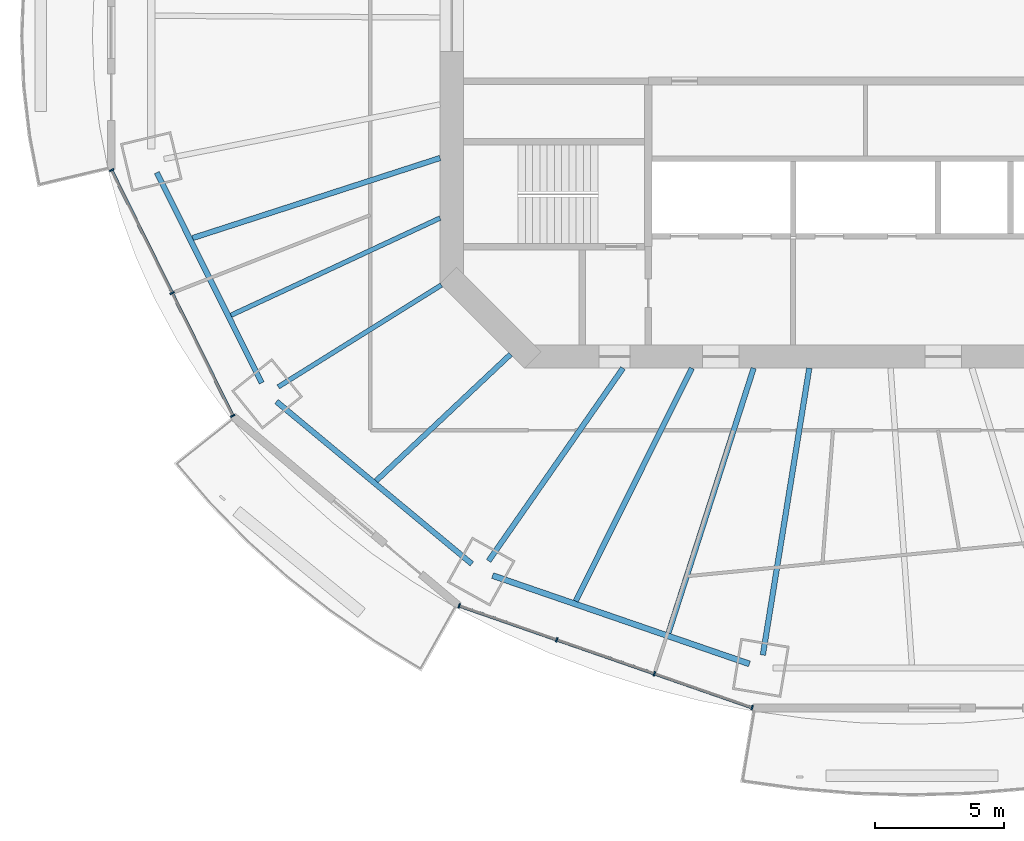
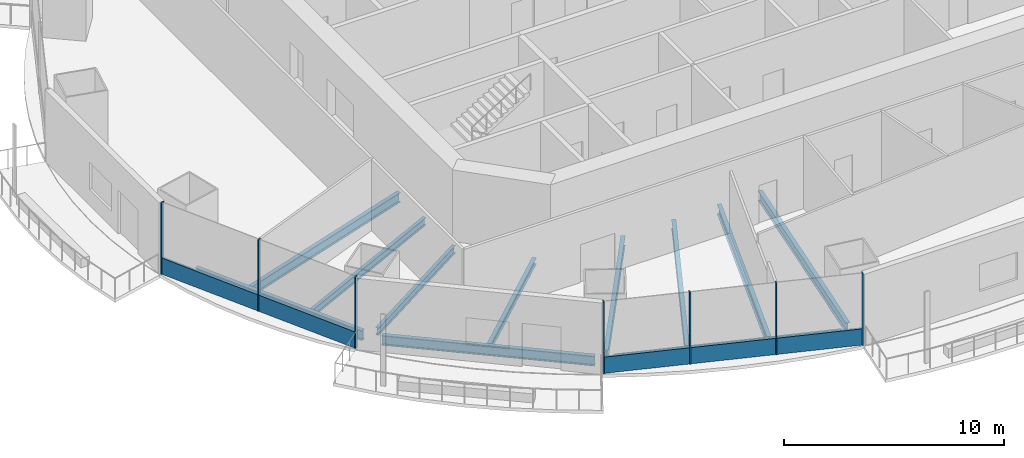
# One storey, part 2 of 21: 11 beams, 9 members, 2 elements without a shape of their own.
"""IFC4 building model written with IfcOpenShell, lengths in metres."""

from ifc_helpers import new_model, si_unit, direction, frame, origin, origin_2d, place, context, subcontext, project, spatial, rectangle, i_section, extrude, material, material_profile, profile_set, type_object, element, aggregate, save


model = new_model("IFC4")

# Units and contexts
model_context = context("Model", 3, precision=1e-05, world=origin(), true_north=direction((0.0, 1.0)))
body_context = subcontext(model_context, "Body", "Model", "MODEL_VIEW")
ifc_project = project(units=[si_unit("LENGTHUNIT", "METRE"), si_unit("AREAUNIT", "SQUARE_METRE"), si_unit("VOLUMEUNIT", "CUBIC_METRE"), si_unit("PLANEANGLEUNIT", "RADIAN"), si_unit("MASSUNIT", "GRAM", prefix="KILO")], contexts=[model_context])

# Site, building, storey
site_placement = place(None, origin())
site = spatial("IfcSite", under=ifc_project, at=site_placement, CompositionType="ELEMENT")
building_placement = place(site_placement, origin())
building = spatial("IfcBuilding", under=site, at=building_placement, Name="Marenthal Gate Tower", CompositionType="ELEMENT")
storey_placement = place(building_placement, frame((0.0, 0.0, 202.550048828125)))
storey = spatial("IfcBuildingStorey", under=building, at=storey_placement, Name="L44", CompositionType="ELEMENT", Elevation=202.550048828125)

# Curtain wall, members
ifc_material_1 = material(Name="Aluminium and glass", Category="aluminium")
curtain_wall_type = type_object("IfcCurtainWallType", Name="Curtain wall typical mid", PredefinedType="NOTDEFINED", material=ifc_material_1)
curtain_wall_1_placement = place(storey_placement, origin())
curtain_wall_1 = element("IfcCurtainWall", 1, at=curtain_wall_1_placement, inside=storey, type_object=curtain_wall_type, Name="Curtain wall L44 bay 9", PredefinedType="NOTDEFINED")
ifc_material_2 = material(Name="Aluminium", Category="aluminium")
ifc_material_profile_1 = material_profile(ifc_material_2, rectangle(XDim=0.179931640625, YDim=0.06005859375, at=origin_2d()), Name="60x180 aluminium mullion")
ifc_profile_set_1 = profile_set([ifc_material_profile_1], Name="Aluminium")
member_type_1 = type_object("IfcMemberType", Name="Mullion 60x180 typical mid", PredefinedType="MULLION", material=ifc_profile_set_1)
member_1_placement = place(storey_placement, frame((-29.152099609375, -5.7958984375, 0.0), z_axis=(0.0, 0.0, 1.0), x_axis=(0.896715617309, 0.442607164057, 0.0)))
member_1 = element("IfcMember", 2, at=member_1_placement, type_object=member_type_1, Name="Mullion L44 bay 9.1", PredefinedType="MULLION", context=body_context, shape_type="SweptSolid", body=[
    extrude(rectangle(XDim=0.179931640625, YDim=0.06005859375, at=origin_2d()), origin(), (0.0, 0.0, 1.0), 3.969970703125),
])
member_2_placement = place(storey_placement, frame((-26.808349609375, -10.54443359375, 0.0), z_axis=(0.0, 0.0, 1.0), x_axis=(0.896715617309, 0.442607164057, 0.0)))
member_2 = element("IfcMember", 3, at=member_2_placement, type_object=member_type_1, Name="Mullion L44 bay 9.2", PredefinedType="MULLION", context=body_context, shape_type="SweptSolid", body=[
    extrude(rectangle(XDim=0.179931640625, YDim=0.06005859375, at=origin_2d()), origin(), (0.0, 0.0, 1.0), 3.969970703125),
])
member_3_placement = place(storey_placement, frame((-24.46435546875, -15.29296875, 0.0), z_axis=(0.0, 0.0, 1.0), x_axis=(0.896715617309, 0.442607164057, 0.0)))
member_3 = element("IfcMember", 4, at=member_3_placement, type_object=member_type_1, Name="Mullion L44 bay 9.3", PredefinedType="MULLION", context=body_context, shape_type="SweptSolid", body=[
    extrude(rectangle(XDim=0.179931640625, YDim=0.06005859375, at=origin_2d()), origin(), (0.0, 0.0, 1.0), 3.969970703125),
])

curtain_wall_2_placement = place(storey_placement, origin())
curtain_wall_2 = element("IfcCurtainWall", 5, at=curtain_wall_2_placement, inside=storey, type_object=curtain_wall_type, Name="Curtain wall L44 bay 11", PredefinedType="NOTDEFINED")
member_4_placement = place(storey_placement, frame((-15.712158203125, -22.6396484375, 0.0), z_axis=(0.0, 0.0, 1.0), x_axis=(0.328332307555, 0.944562277362, 0.0)))
member_4 = element("IfcMember", 6, at=member_4_placement, type_object=member_type_1, Name="Mullion L44 bay 11.1", PredefinedType="MULLION", context=body_context, shape_type="SweptSolid", body=[
    extrude(rectangle(XDim=0.179931640625, YDim=0.06005859375, at=origin_2d()), origin(), (0.0, 0.0, 1.0), 3.969970703125),
])
member_5_placement = place(storey_placement, frame((-11.937255859375, -23.951904296875, 0.0), z_axis=(0.0, 0.0, 1.0), x_axis=(0.328332307555, 0.944562277362, 0.0)))
member_5 = element("IfcMember", 7, at=member_5_placement, type_object=member_type_1, Name="Mullion L44 bay 11.2", PredefinedType="MULLION", context=body_context, shape_type="SweptSolid", body=[
    extrude(rectangle(XDim=0.179931640625, YDim=0.06005859375, at=origin_2d()), origin(), (0.0, 0.0, 1.0), 3.969970703125),
])
member_6_placement = place(storey_placement, frame((-8.16259765625, -25.263916015625, 0.0), z_axis=(0.0, 0.0, 1.0), x_axis=(0.328332307555, 0.944562277362, 0.0)))
member_6 = element("IfcMember", 8, at=member_6_placement, type_object=member_type_1, Name="Mullion L44 bay 11.3", PredefinedType="MULLION", context=body_context, shape_type="SweptSolid", body=[
    extrude(rectangle(XDim=0.179931640625, YDim=0.06005859375, at=origin_2d()), origin(), (0.0, 0.0, 1.0), 3.969970703125),
])
member_7_placement = place(storey_placement, frame((-4.3876953125, -26.576171875, 0.0), z_axis=(0.0, 0.0, 1.0), x_axis=(0.328332307555, 0.944562277362, 0.0)))
member_7 = element("IfcMember", 9, at=member_7_placement, type_object=member_type_1, Name="Mullion L44 bay 11.4", PredefinedType="MULLION", context=body_context, shape_type="SweptSolid", body=[
    extrude(rectangle(XDim=0.179931640625, YDim=0.06005859375, at=origin_2d()), origin(), (0.0, 0.0, 1.0), 3.969970703125),
])

# Member
ifc_material_3 = material(Name="Aluminium", Category="aluminium")
ifc_material_profile_2 = material_profile(ifc_material_3, rectangle(XDim=0.1201171875, YDim=0.89990234375, at=origin_2d()), Name="120x900 aluminium transom")
ifc_profile_set_2 = profile_set([ifc_material_profile_2], Name="Aluminium")
member_type_2 = type_object("IfcMemberType", Name="Transom 120x900 typical mid", PredefinedType="USERDEFINED", material=ifc_profile_set_2)
member_8_placement = place(storey_placement, frame((-29.138916015625, -5.82275390625, 0.449951171875), z_axis=(0.442608192254, -0.896715109804, 0.0), x_axis=(0.896715109804, 0.442608192254, 0.0)))
member_8 = element("IfcMember", 10, at=member_8_placement, type_object=member_type_2, Name="Transom L44 bay 9", ObjectType="TRANSOM", PredefinedType="USERDEFINED", context=body_context, shape_type="SweptSolid", body=[
    extrude(rectangle(XDim=0.1201171875, YDim=0.89990234375, at=origin_2d()), origin(), (0.0, 0.0, 1.0), 10.531005859375),
])

aggregate(curtain_wall_1, [member_1, member_2, member_3, member_8])

member_9_placement = place(storey_placement, frame((-15.683837890625, -22.6494140625, 0.449951171875), z_axis=(0.944561661675, -0.328334078787, 0.0), x_axis=(0.328334078787, 0.944561661675, 0.0)))
member_9 = element("IfcMember", 11, at=member_9_placement, type_object=member_type_2, Name="Transom L44 bay 11", ObjectType="TRANSOM", PredefinedType="USERDEFINED", context=body_context, shape_type="SweptSolid", body=[
    extrude(rectangle(XDim=0.1201171875, YDim=0.89990234375, at=origin_2d()), origin(), (0.0, 0.0, 1.0), 11.92919921875),
])

aggregate(curtain_wall_2, [member_4, member_5, member_6, member_7, member_9])

# Beams
ifc_material_4 = material(Name="Steel S355", Category="steel")
ifc_material_profile_3 = material_profile(ifc_material_4, i_section(OverallWidth=0.205078125, OverallDepth=0.35302734375, WebThickness=0.009521484375, FlangeThickness=0.016845703125, FilletRadius=0.014892578125, at=origin_2d()), Name="W360X79")
ifc_profile_set_3 = profile_set([ifc_material_profile_3], Name="Steel S355")
beam_type_1 = type_object("IfcBeamType", Name="W360X79 beam", PredefinedType="BEAM", material=ifc_profile_set_3)
beam_1_placement = place(storey_placement, frame((-18.92236328125, -17.805908203125, -0.3564453125), z_axis=(0.728272270836, 0.685287895363, 0.0), x_axis=(-0.685287895363, 0.728272270836, 0.0)))
element("IfcBeam", 12, at=beam_1_placement, inside=storey, type_object=beam_type_1, Name="BM-L44-31", PredefinedType="BEAM", context=body_context, shape_type="SweptSolid", body=[
    extrude(i_section(OverallWidth=0.205078125, OverallDepth=0.35302734375, WebThickness=0.009521484375, FlangeThickness=0.016845703125, FilletRadius=0.014892578125, at=origin_2d()), origin(), (0.0, 0.0, 1.0), 7.139404296875),
])
ifc_material_5 = material(Name="Steel S355", Category="steel")
ifc_material_profile_4 = material_profile(ifc_material_5, i_section(OverallWidth=0.180908203125, OverallDepth=0.4169921875, WebThickness=0.010986328125, FlangeThickness=0.018310546875, FilletRadius=0.01025390625, at=origin_2d()), Name="W410X85")
ifc_profile_set_4 = profile_set([ifc_material_profile_4], Name="Steel S355")
beam_type_2 = type_object("IfcBeamType", Name="W410X85 beam", PredefinedType="BEAM", material=ifc_profile_set_4)
beam_2_placement = place(storey_placement, frame((-22.707275390625, -14.17333984375, -0.388427734375), z_axis=(0.848320973647, 0.529482318562, 0.0), x_axis=(-0.529482318562, 0.848320973647, 0.0)))
element("IfcBeam", 13, at=beam_2_placement, inside=storey, type_object=beam_type_2, Name="BM-L44-10", PredefinedType="BEAM", context=body_context, shape_type="SweptSolid", body=[
    extrude(i_section(OverallWidth=0.180908203125, OverallDepth=0.4169921875, WebThickness=0.010986328125, FlangeThickness=0.018310546875, FilletRadius=0.01025390625, at=origin_2d()), origin(), (0.0, 0.0, 1.0), 7.43505859375),
])
beam_3_placement = place(storey_placement, frame((-24.533935546875, -11.403564453125, -0.388427734375), z_axis=(0.9068250779, 0.4215071507, 0.0), x_axis=(-0.4215071507, 0.9068250779, 0.0)))
element("IfcBeam", 14, at=beam_3_placement, inside=storey, type_object=beam_type_2, Name="BM-L44-30", PredefinedType="BEAM", context=body_context, shape_type="SweptSolid", body=[
    extrude(i_section(OverallWidth=0.180908203125, OverallDepth=0.4169921875, WebThickness=0.010986328125, FlangeThickness=0.018310546875, FilletRadius=0.01025390625, at=origin_2d()), origin(), (0.0, 0.0, 1.0), 8.91455078125),
])
ifc_material_6 = material(Name="Steel S355", Category="steel")
ifc_material_profile_5 = material_profile(ifc_material_6, i_section(OverallWidth=0.2099609375, OverallDepth=0.535888671875, WebThickness=0.010986328125, FlangeThickness=0.017333984375, FilletRadius=0.0126953125, at=origin_2d()), Name="W530X101")
ifc_profile_set_5 = profile_set([ifc_material_profile_5], Name="Steel S355")
beam_type_3 = type_object("IfcBeamType", Name="W530X101 beam", PredefinedType="BEAM", material=ifc_profile_set_5)
beam_4_placement = place(storey_placement, frame((-14.57373046875, -20.901611328125, -0.447998046875), z_axis=(0.571957090285, 0.820283540535, 0.0), x_axis=(-0.820283540535, 0.571957090285, 0.0)))
element("IfcBeam", 15, at=beam_4_placement, inside=storey, type_object=beam_type_3, Name="BM-L44-11", PredefinedType="BEAM", context=body_context, shape_type="SweptSolid", body=[
    extrude(i_section(OverallWidth=0.2099609375, OverallDepth=0.535888671875, WebThickness=0.010986328125, FlangeThickness=0.017333984375, FilletRadius=0.0126953125, at=origin_2d()), origin(), (0.0, 0.0, 1.0), 9.084228515625),
])
beam_5_placement = place(storey_placement, frame((-26.02099609375, -8.42138671875, -0.447998046875), z_axis=(0.951418383644, 0.30790105434, 0.0), x_axis=(-0.30790105434, 0.951418383644, 0.0)))
element("IfcBeam", 16, at=beam_5_placement, inside=storey, type_object=beam_type_3, Name="BM-L44-29", PredefinedType="BEAM", context=body_context, shape_type="SweptSolid", body=[
    extrude(i_section(OverallWidth=0.2099609375, OverallDepth=0.535888671875, WebThickness=0.010986328125, FlangeThickness=0.017333984375, FilletRadius=0.0126953125, at=origin_2d()), origin(), (0.0, 0.0, 1.0), 10.059814453125),
])
beam_6_placement = place(storey_placement, frame((-11.207275390625, -22.452880859375, -0.447998046875), z_axis=(0.446611768223, 0.894727851631, 0.0), x_axis=(-0.894727851631, 0.446611768223, 0.0)))
element("IfcBeam", 17, at=beam_6_placement, inside=storey, type_object=beam_type_3, Name="BM-L44-32", PredefinedType="BEAM", context=body_context, shape_type="SweptSolid", body=[
    extrude(i_section(OverallWidth=0.2099609375, OverallDepth=0.535888671875, WebThickness=0.010986328125, FlangeThickness=0.017333984375, FilletRadius=0.0126953125, at=origin_2d()), origin(), (0.0, 0.0, 1.0), 10.062255859375),
])
beam_7_placement = place(storey_placement, frame((-7.619873046875, -23.687255859375, -0.447998046875), z_axis=(0.30623257403, 0.951956727275, 0.0), x_axis=(-0.951956727275, 0.30623257403, 0.0)))
element("IfcBeam", 18, at=beam_7_placement, inside=storey, type_object=beam_type_3, Name="BM-L44-33", PredefinedType="BEAM", context=body_context, shape_type="SweptSolid", body=[
    extrude(i_section(OverallWidth=0.2099609375, OverallDepth=0.535888671875, WebThickness=0.010986328125, FlangeThickness=0.017333984375, FilletRadius=0.0126953125, at=origin_2d()), origin(), (0.0, 0.0, 1.0), 10.75390625),
])
ifc_material_7 = material(Name="Steel S355", Category="steel")
ifc_material_profile_6 = material_profile(ifc_material_7, i_section(OverallWidth=0.2119140625, OverallDepth=0.5439453125, WebThickness=0.01318359375, FlangeThickness=0.021240234375, FilletRadius=0.0126953125, at=origin_2d()), Name="W530X123")
ifc_profile_set_6 = profile_set([ifc_material_profile_6], Name="Steel S355")
beam_type_4 = type_object("IfcBeamType", Name="W530X123 beam", PredefinedType="BEAM", material=ifc_profile_set_6)
beam_8_placement = place(storey_placement, frame((-3.97119140625, -24.542724609375, -0.4521484375), z_axis=(0.159732433906, 0.987160346427, 0.0), x_axis=(-0.987160346427, 0.159732433906, 0.0)))
element("IfcBeam", 19, at=beam_8_placement, inside=storey, type_object=beam_type_4, Name="BM-L44-12", PredefinedType="BEAM", context=body_context, shape_type="SweptSolid", body=[
    extrude(i_section(OverallWidth=0.2119140625, OverallDepth=0.5439453125, WebThickness=0.01318359375, FlangeThickness=0.021240234375, FilletRadius=0.0126953125, at=origin_2d()), origin(), (0.0, 0.0, 1.0), 11.237060546875),
])
beam_9_placement = place(storey_placement, frame((-27.40380859375, -5.885986328125, -0.4521484375), z_axis=(0.446246270187, -0.894910200157, 0.0), x_axis=(0.894910200157, 0.446246270187, 0.0)))
element("IfcBeam", 20, at=beam_9_placement, inside=storey, type_object=beam_type_4, Name="BM-L44-49", PredefinedType="BEAM", context=body_context, shape_type="SweptSolid", body=[
    extrude(i_section(OverallWidth=0.2119140625, OverallDepth=0.5439453125, WebThickness=0.01318359375, FlangeThickness=0.021240234375, FilletRadius=0.0126953125, at=origin_2d()), origin(), (0.0, 0.0, 1.0), 9.08837890625),
])
beam_10_placement = place(storey_placement, frame((-22.7763671875, -14.741943359375, -0.4521484375), z_axis=(0.769206538699, -0.639000235386, 0.0), x_axis=(0.639000235386, 0.769206538699, 0.0)))
element("IfcBeam", 21, at=beam_10_placement, inside=storey, type_object=beam_type_4, Name="BM-L44-50", PredefinedType="BEAM", context=body_context, shape_type="SweptSolid", body=[
    extrude(i_section(OverallWidth=0.2119140625, OverallDepth=0.5439453125, WebThickness=0.01318359375, FlangeThickness=0.021240234375, FilletRadius=0.0126953125, at=origin_2d()), origin(), (0.0, 0.0, 1.0), 9.8212890625),
])
ifc_material_8 = material(Name="Steel S355", Category="steel")
ifc_material_profile_7 = material_profile(ifc_material_8, i_section(OverallWidth=0.22900390625, OverallDepth=0.612060546875, WebThickness=0.011962890625, FlangeThickness=0.01953125, FilletRadius=0.0126953125, at=origin_2d()), Name="W610X125")
ifc_profile_set_7 = profile_set([ifc_material_profile_7], Name="Steel S355")
beam_type_5 = type_object("IfcBeamType", Name="W610X125 beam", PredefinedType="BEAM", material=ifc_profile_set_7)
beam_11_placement = place(storey_placement, frame((-14.423095703125, -21.46728515625, -0.486083984375), z_axis=(0.945582956363, -0.325381119053, 0.0), x_axis=(0.325381119053, 0.945582956363, 0.0)))
element("IfcBeam", 22, at=beam_11_placement, inside=storey, type_object=beam_type_5, Name="BM-L44-51", PredefinedType="BEAM", context=body_context, shape_type="SweptSolid", body=[
    extrude(i_section(OverallWidth=0.22900390625, OverallDepth=0.612060546875, WebThickness=0.011962890625, FlangeThickness=0.01953125, FilletRadius=0.0126953125, at=origin_2d()), origin(), (0.0, 0.0, 1.0), 10.50537109375),
])

save(model, "model.ifc")
